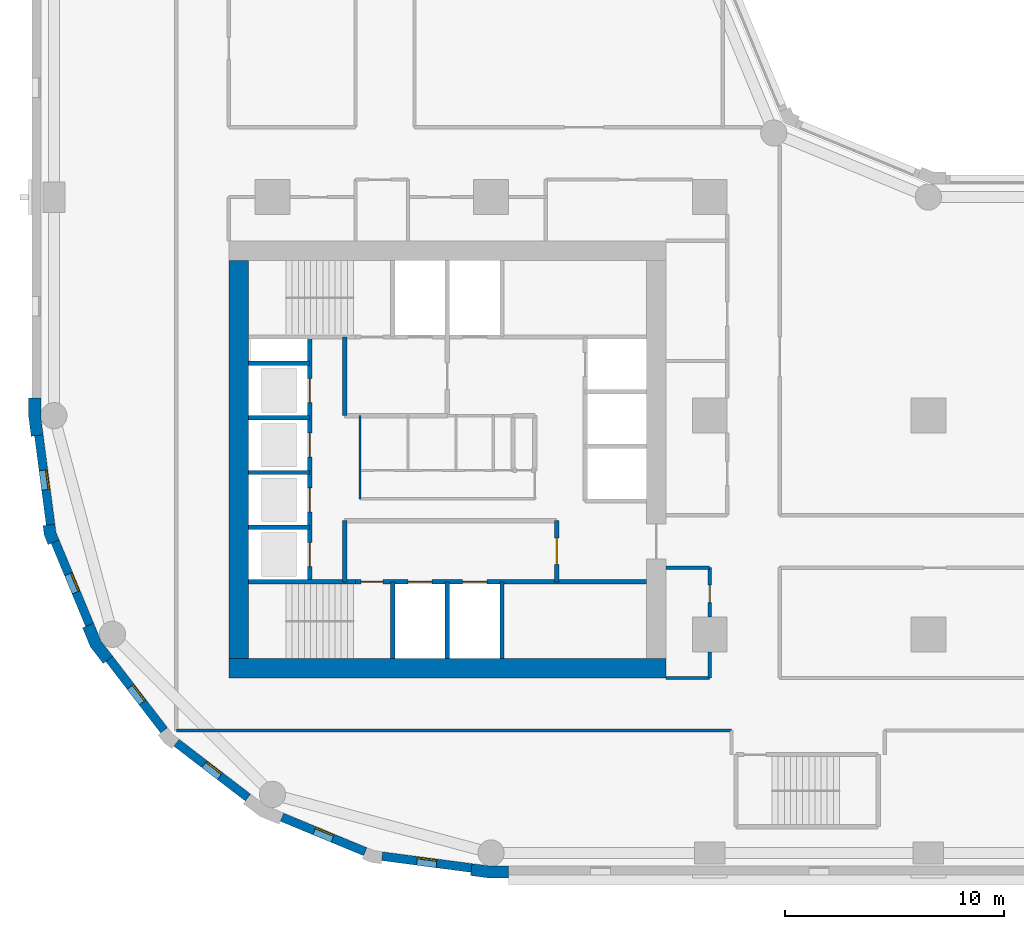
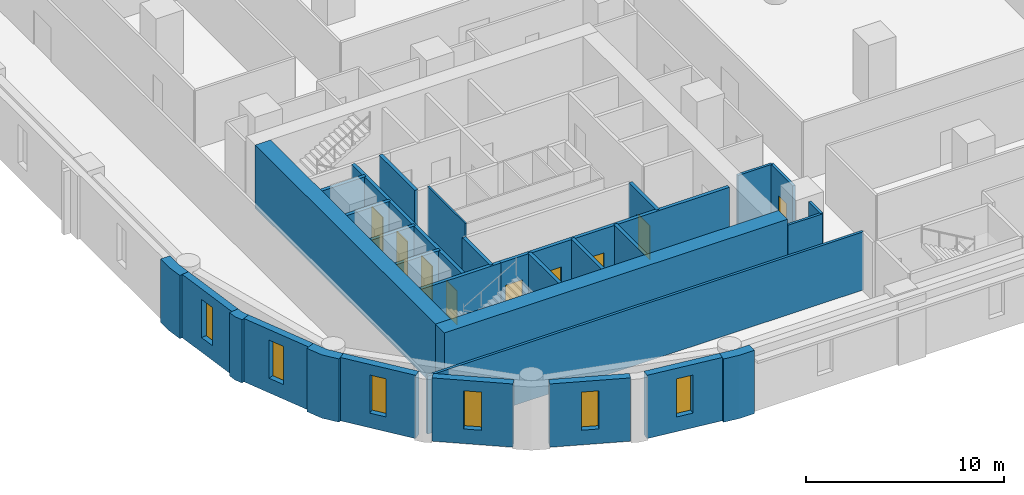
# One storey, part 2 of 10: 31 walls, 9 doors, 6 windows, 15 openings.
"""IFC4 building model written with IfcOpenShell, lengths in metres."""

from ifc_helpers import new_model, si_unit, direction, frame, frame_2d, origin, place, context, subcontext, project, spatial, polyline, rectangle, outline, extrude, material, layer, layer_set, type_object, element, fill, save


model = new_model("IFC4")

# Units and contexts
model_context = context("Model", 3, precision=1e-05, world=origin(), true_north=direction((0.0, 1.0)))
body_context = subcontext(model_context, "Body", "Model", "MODEL_VIEW")
ifc_project = project(units=[si_unit("LENGTHUNIT", "METRE"), si_unit("AREAUNIT", "SQUARE_METRE"), si_unit("VOLUMEUNIT", "CUBIC_METRE"), si_unit("PLANEANGLEUNIT", "RADIAN"), si_unit("MASSUNIT", "GRAM", prefix="KILO")], contexts=[model_context])

# Site, building, storey
site_placement = place(None, origin())
site = spatial("IfcSite", under=ifc_project, at=site_placement, CompositionType="ELEMENT")
building_placement = place(site_placement, origin())
building = spatial("IfcBuilding", under=site, at=building_placement, Name="Qaws Garden Tower", CompositionType="ELEMENT")
storey_placement = place(building_placement, frame((0.0, 0.0, 43.199951171875)))
storey = spatial("IfcBuildingStorey", under=building, at=storey_placement, Name="L10", CompositionType="ELEMENT", Elevation=43.199951171875)

# Wall, opening, window
ifc_material_1 = material(Name="Buff clay facing brick masonry", Category="masonry")
ifc_layer_1 = layer(ifc_material_1, 0.39990234375)
ifc_layer_set_1 = layer_set([ifc_layer_1], Name="Buff clay facing brick masonry")
wall_type_1 = type_object("IfcWallType", Name="Buff brick infill wall 400", PredefinedType="SOLIDWALL", material=ifc_layer_set_1)
wall_1_placement = place(storey_placement, frame((-0.688720703125, 19.102294921875, 0.0), z_axis=(0.0, 0.0, 1.0), x_axis=(0.130514280502, -0.991446429508, 0.0)))
wall_1 = element("IfcWall", 1, at=wall_1_placement, inside=storey, type_object=wall_type_1, Name="E-L10-infill-27", PredefinedType="SOLIDWALL", context=body_context, shape_type="SweptSolid", body=[
    extrude(rectangle(XDim=4.120849609375, YDim=0.39990234375, at=frame_2d((2.060546875, 0.0))), origin(), (0.0, 0.0, 1.0), 3.900146484375),
])
opening_1_placement = place(wall_1_placement, frame((1.610595703125, 0.0, 0.89990234375)))
opening_1 = element("IfcOpeningElement", 2, at=opening_1_placement, cuts=wall_1, Name="Opening W09", PredefinedType="OPENING", context=body_context, shape_type="SweptSolid", body=[
    extrude(rectangle(XDim=0.89990234375, YDim=2.35009765625, at=frame_2d((0.449951171875, 1.175048828125))), frame((0.0, 0.2099609375, 0.0), z_axis=(0.0, -1.0, 0.0), x_axis=(1.0, 0.0, 0.0)), (0.0, 0.0, 1.0), 0.419921875),
])
ifc_material_2 = material(Name="Aluminium framed window, clear glazing", Category="aluminium")
window_type = type_object("IfcWindowType", Name="Slit window 900 x 2350", PartitioningType="SINGLE_PANEL", PredefinedType="WINDOW", material=ifc_material_2)
window_1_placement = place(opening_1_placement, origin())
window_1 = element("IfcWindow", 3, at=window_1_placement, inside=storey, type_object=window_type, Name="E-L10-window-27-0", OverallHeight=2.35009765625, OverallWidth=0.89990234375, PartitioningType="SINGLE_PANEL", PredefinedType="WINDOW", context=body_context, shape_type="SweptSolid", body=[
    extrude(rectangle(XDim=0.89990234375, YDim=2.35009765625, at=frame_2d((0.449951171875, 1.175048828125))), frame((0.0, 0.159912109375, 0.0), z_axis=(0.0, -1.0, 0.0), x_axis=(1.0, 0.0, 0.0)), (0.0, 0.0, 1.0), 0.06005859375),
])
fill(opening_1, window_1)

wall_2_placement = place(storey_placement, frame((0.05712890625, 14.240234375, 0.0), z_axis=(0.0, 0.0, 1.0), x_axis=(0.382721546029, -0.923863744394, 0.0)))
wall_2 = element("IfcWall", 4, at=wall_2_placement, inside=storey, type_object=wall_type_1, Name="E-L10-infill-28", PredefinedType="SOLIDWALL", context=body_context, shape_type="SweptSolid", body=[
    extrude(rectangle(XDim=4.120849609375, YDim=0.39990234375, at=frame_2d((2.060546875, 0.0))), origin(), (0.0, 0.0, 1.0), 3.900146484375),
])
opening_2_placement = place(wall_2_placement, frame((1.610595703125, 0.0, 0.89990234375)))
opening_2 = element("IfcOpeningElement", 5, at=opening_2_placement, cuts=wall_2, Name="Opening W09", PredefinedType="OPENING", context=body_context, shape_type="SweptSolid", body=[
    extrude(rectangle(XDim=0.89990234375, YDim=2.35009765625, at=frame_2d((0.449951171875, 1.175048828125))), frame((0.0, 0.2099609375, 0.0), z_axis=(0.0, -1.0, 0.0), x_axis=(1.0, 0.0, 0.0)), (0.0, 0.0, 1.0), 0.419921875),
])
window_2_placement = place(opening_2_placement, origin())
window_2 = element("IfcWindow", 6, at=window_2_placement, inside=storey, type_object=window_type, Name="E-L10-window-28-0", OverallHeight=2.35009765625, OverallWidth=0.89990234375, PartitioningType="SINGLE_PANEL", PredefinedType="WINDOW", context=body_context, shape_type="SweptSolid", body=[
    extrude(rectangle(XDim=0.89990234375, YDim=2.35009765625, at=frame_2d((0.449951171875, 1.175048828125))), frame((0.0, 0.159912109375, 0.0), z_axis=(0.0, -1.0, 0.0), x_axis=(1.0, 0.0, 0.0)), (0.0, 0.0, 1.0), 0.06005859375),
])
fill(opening_2, window_2)

wall_3_placement = place(storey_placement, frame((2.53173828125, 8.87841796875, 0.0), z_axis=(0.0, 0.0, 1.0), x_axis=(0.608759824817, -0.793354571229, 0.0)))
wall_3 = element("IfcWall", 7, at=wall_3_placement, inside=storey, type_object=wall_type_1, Name="E-L10-infill-29", PredefinedType="SOLIDWALL", context=body_context, shape_type="SweptSolid", body=[
    extrude(rectangle(XDim=4.12109375, YDim=0.39990234375, at=frame_2d((2.060546875, 0.0))), origin(), (0.0, 0.0, 1.0), 3.900146484375),
])
opening_3_placement = place(wall_3_placement, frame((1.610595703125, 0.0, 0.89990234375)))
opening_3 = element("IfcOpeningElement", 8, at=opening_3_placement, cuts=wall_3, Name="Opening W09", PredefinedType="OPENING", context=body_context, shape_type="SweptSolid", body=[
    extrude(rectangle(XDim=0.89990234375, YDim=2.35009765625, at=frame_2d((0.449951171875, 1.175048828125))), frame((0.0, 0.2099609375, 0.0), z_axis=(0.0, -1.0, 0.0), x_axis=(1.0, 0.0, 0.0)), (0.0, 0.0, 1.0), 0.419921875),
])
window_3_placement = place(opening_3_placement, origin())
window_3 = element("IfcWindow", 9, at=window_3_placement, inside=storey, type_object=window_type, Name="E-L10-window-29-0", OverallHeight=2.35009765625, OverallWidth=0.89990234375, PartitioningType="SINGLE_PANEL", PredefinedType="WINDOW", context=body_context, shape_type="SweptSolid", body=[
    extrude(rectangle(XDim=0.89990234375, YDim=2.35009765625, at=frame_2d((0.449951171875, 1.175048828125))), frame((0.0, 0.159912109375, 0.0), z_axis=(0.0, -1.0, 0.0), x_axis=(1.0, 0.0, 0.0)), (0.0, 0.0, 1.0), 0.06005859375),
])
fill(opening_3, window_3)

wall_4_placement = place(storey_placement, frame((5.60888671875, 5.04052734375, 0.0), z_axis=(0.0, 0.0, 1.0), x_axis=(0.793354571229, -0.608759824817, 0.0)))
wall_4 = element("IfcWall", 10, at=wall_4_placement, inside=storey, type_object=wall_type_1, Name="E-L10-infill-30", PredefinedType="SOLIDWALL", context=body_context, shape_type="SweptSolid", body=[
    extrude(rectangle(XDim=4.12109375, YDim=0.39990234375, at=frame_2d((2.060546875, 0.0))), origin(), (0.0, 0.0, 1.0), 3.900146484375),
])
opening_4_placement = place(wall_4_placement, frame((1.610595703125, 0.0, 0.89990234375)))
opening_4 = element("IfcOpeningElement", 11, at=opening_4_placement, cuts=wall_4, Name="Opening W09", PredefinedType="OPENING", context=body_context, shape_type="SweptSolid", body=[
    extrude(rectangle(XDim=0.89990234375, YDim=2.35009765625, at=frame_2d((0.449951171875, 1.175048828125))), frame((0.0, 0.2099609375, 0.0), z_axis=(0.0, -1.0, 0.0), x_axis=(1.0, 0.0, 0.0)), (0.0, 0.0, 1.0), 0.419921875),
])
window_4_placement = place(opening_4_placement, origin())
window_4 = element("IfcWindow", 12, at=window_4_placement, inside=storey, type_object=window_type, Name="E-L10-window-30-0", OverallHeight=2.35009765625, OverallWidth=0.89990234375, PartitioningType="SINGLE_PANEL", PredefinedType="WINDOW", context=body_context, shape_type="SweptSolid", body=[
    extrude(rectangle(XDim=0.89990234375, YDim=2.35009765625, at=frame_2d((0.449951171875, 1.175048828125))), frame((0.0, 0.159912109375, 0.0), z_axis=(0.0, -1.0, 0.0), x_axis=(1.0, 0.0, 0.0)), (0.0, 0.0, 1.0), 0.06005859375),
])
fill(opening_4, window_4)

wall_5_placement = place(storey_placement, frame((10.43310546875, 1.63427734375, 0.0), z_axis=(0.0, 0.0, 1.0), x_axis=(0.923863744394, -0.382721546029, 0.0)))
wall_5 = element("IfcWall", 13, at=wall_5_placement, inside=storey, type_object=wall_type_1, Name="E-L10-infill-31", PredefinedType="SOLIDWALL", context=body_context, shape_type="SweptSolid", body=[
    extrude(rectangle(XDim=4.120849609375, YDim=0.39990234375, at=frame_2d((2.060546875, 0.0))), origin(), (0.0, 0.0, 1.0), 3.900146484375),
])
opening_5_placement = place(wall_5_placement, frame((1.610595703125, 0.0, 0.89990234375)))
opening_5 = element("IfcOpeningElement", 14, at=opening_5_placement, cuts=wall_5, Name="Opening W09", PredefinedType="OPENING", context=body_context, shape_type="SweptSolid", body=[
    extrude(rectangle(XDim=0.89990234375, YDim=2.35009765625, at=frame_2d((0.449951171875, 1.175048828125))), frame((0.0, 0.2099609375, 0.0), z_axis=(0.0, -1.0, 0.0), x_axis=(1.0, 0.0, 0.0)), (0.0, 0.0, 1.0), 0.419921875),
])
window_5_placement = place(opening_5_placement, origin())
window_5 = element("IfcWindow", 15, at=window_5_placement, inside=storey, type_object=window_type, Name="E-L10-window-31-0", OverallHeight=2.35009765625, OverallWidth=0.89990234375, PartitioningType="SINGLE_PANEL", PredefinedType="WINDOW", context=body_context, shape_type="SweptSolid", body=[
    extrude(rectangle(XDim=0.89990234375, YDim=2.35009765625, at=frame_2d((0.449951171875, 1.175048828125))), frame((0.0, 0.159912109375, 0.0), z_axis=(0.0, -1.0, 0.0), x_axis=(1.0, 0.0, 0.0)), (0.0, 0.0, 1.0), 0.06005859375),
])
fill(opening_5, window_5)

wall_6_placement = place(storey_placement, frame((15.0166015625, -0.15087890625, 0.0), z_axis=(0.0, 0.0, 1.0), x_axis=(0.991446429508, -0.130514280502, 0.0)))
wall_6 = element("IfcWall", 16, at=wall_6_placement, inside=storey, type_object=wall_type_1, Name="E-L10-infill-32", PredefinedType="SOLIDWALL", context=body_context, shape_type="SweptSolid", body=[
    extrude(rectangle(XDim=4.120849609375, YDim=0.39990234375, at=frame_2d((2.060546875, 0.0))), origin(), (0.0, 0.0, 1.0), 3.900146484375),
])
opening_6_placement = place(wall_6_placement, frame((1.610595703125, 0.0, 0.89990234375)))
opening_6 = element("IfcOpeningElement", 17, at=opening_6_placement, cuts=wall_6, Name="Opening W09", PredefinedType="OPENING", context=body_context, shape_type="SweptSolid", body=[
    extrude(rectangle(XDim=0.89990234375, YDim=2.35009765625, at=frame_2d((0.449951171875, 1.175048828125))), frame((0.0, 0.2099609375, 0.0), z_axis=(0.0, -1.0, 0.0), x_axis=(1.0, 0.0, 0.0)), (0.0, 0.0, 1.0), 0.419921875),
])
window_6_placement = place(opening_6_placement, origin())
window_6 = element("IfcWindow", 18, at=window_6_placement, inside=storey, type_object=window_type, Name="E-L10-window-32-0", OverallHeight=2.35009765625, OverallWidth=0.89990234375, PartitioningType="SINGLE_PANEL", PredefinedType="WINDOW", context=body_context, shape_type="SweptSolid", body=[
    extrude(rectangle(XDim=0.89990234375, YDim=2.35009765625, at=frame_2d((0.449951171875, 1.175048828125))), frame((0.0, 0.159912109375, 0.0), z_axis=(0.0, -1.0, 0.0), x_axis=(1.0, 0.0, 0.0)), (0.0, 0.0, 1.0), 0.06005859375),
])
fill(opening_6, window_6)

# Walls
ifc_material_3 = material(Name="Buff clay facing brick masonry", Category="masonry")
ifc_layer_2 = layer(ifc_material_3, 0.550048828125)
ifc_layer_set_2 = layer_set([ifc_layer_2], Name="Buff clay facing brick masonry")
wall_type_2 = type_object("IfcWallType", Name="Buff brick kink pier 550 x 600", PredefinedType="SOLIDWALL", material=ifc_layer_set_2)
placement = place(storey_placement, origin())
element("IfcWall", 19, at=placement, inside=storey, type_object=wall_type_2, Name="E-L10-pier-28", PredefinedType="SOLIDWALL", context=body_context, shape_type="SweptSolid", body=[
    extrude(outline(polyline([(-0.34912109375, 14.990478515625), (-0.497802734375, 14.970947265625), (-0.43896484375, 14.5234375), (-0.26611328125, 14.1064453125), (-0.127685546875, 14.163818359375), (0.241943359375, 14.31689453125), (0.096923828125, 14.6669921875), (0.04736328125, 15.042724609375), (-0.34912109375, 14.990478515625)])), origin(), (0.0, 0.0, 1.0), 3.900146484375),
])
ifc_material_4 = material(Name="Buff clay facing brick masonry", Category="masonry")
ifc_layer_3 = layer(ifc_material_4, 0.550048828125)
ifc_layer_set_3 = layer_set([ifc_layer_3], Name="Buff clay facing brick masonry")
wall_type_3 = type_object("IfcWallType", Name="Buff brick pier 550 x 1600", PredefinedType="SOLIDWALL", material=ifc_layer_set_3)
element("IfcWall", 20, at=placement, inside=storey, type_object=wall_type_3, Name="E-L10-pier-00", PredefinedType="SOLIDWALL", context=body_context, shape_type="SweptSolid", body=[
    extrude(outline(polyline([(19.076416015625, -0.886962890625), (19.056640625, -1.03564453125), (19.924560546875, -1.14990234375), (20.800048828125, -1.14990234375), (20.800048828125, -1.0), (20.800048828125, -0.60009765625), (19.960693359375, -0.60009765625), (19.12841796875, -0.490478515625), (19.076416015625, -0.886962890625)])), origin(), (0.0, 0.0, 1.0), 3.900146484375),
])
element("IfcWall", 21, at=placement, inside=storey, type_object=wall_type_3, Name="E-L10-pier-27", PredefinedType="SOLIDWALL", context=body_context, shape_type="SweptSolid", body=[
    extrude(outline(polyline([(-1.0, 20.800048828125), (-1.14990234375, 20.800048828125), (-1.14990234375, 19.924560546875), (-1.03564453125, 19.056640625), (-0.886962890625, 19.076416015625), (-0.490478515625, 19.12841796875), (-0.60009765625, 19.960693359375), (-0.60009765625, 20.800048828125), (-1.0, 20.800048828125)])), origin(), (0.0, 0.0, 1.0), 3.900146484375),
])
element("IfcWall", 22, at=placement, inside=storey, type_object=wall_type_3, Name="E-L10-pier-29", PredefinedType="SOLIDWALL", context=body_context, shape_type="SweptSolid", body=[
    extrude(outline(polyline([(1.449462890625, 10.3564453125), (1.310791015625, 10.299072265625), (1.675048828125, 9.419921875), (2.254150390625, 8.665283203125), (2.373046875, 8.756591796875), (2.6904296875, 9.0), (2.1552734375, 9.697509765625), (1.819091796875, 10.509521484375), (1.449462890625, 10.3564453125)])), origin(), (0.0, 0.0, 1.0), 3.900146484375),
])
ifc_material_5 = material(Name="Plasterboard")
ifc_layer_4 = layer(ifc_material_5, 0.10009765625)
ifc_layer_set_4 = layer_set([ifc_layer_4], Name="Plasterboard")
wall_type_4 = type_object("IfcWallType", Name="Core partition 100", PredefinedType="PARTITIONING", material=ifc_layer_set_4)
wall_11_placement = place(storey_placement, frame((14.0, 16.199951171875, 0.0), z_axis=(0.0, 0.0, 1.0), x_axis=(0.0, 1.0, 0.0)))
element("IfcWall", 23, at=wall_11_placement, inside=storey, type_object=wall_type_4, Name="Core partition", PredefinedType="PARTITIONING", context=body_context, shape_type="SweptSolid", body=[
    extrude(rectangle(XDim=3.800048828125, YDim=0.10009765625, at=frame_2d((1.89990234375, 0.0))), origin(), (0.0, 0.0, 1.0), 3.580078125),
])
ifc_material_6 = material(Name="Concrete C80", Category="concrete")
ifc_layer_5 = layer(ifc_material_6, 0.199951171875)
ifc_layer_set_5 = layer_set([ifc_layer_5], Name="Concrete C80")
wall_type_5 = type_object("IfcWallType", Name="Core shaft wall 200 C80", PredefinedType="SHEAR", material=ifc_layer_set_5)
wall_12_placement = place(storey_placement, frame((8.89990234375, 12.39990234375, 0.0), z_axis=(0.0, 0.0, 1.0), x_axis=(1.0, 0.0, 0.0)))
element("IfcWall", 24, at=wall_12_placement, inside=storey, type_object=wall_type_5, Name="Shaft wall", PredefinedType="SHEAR", context=body_context, shape_type="SweptSolid", body=[
    extrude(rectangle(XDim=4.900146484375, YDim=0.199951171875, at=frame_2d((2.4501953125, 0.0))), origin(), (0.0, 0.0, 1.0), 3.580078125),
])

# Wall, openings, doors
wall_13_placement = place(storey_placement, frame((13.800048828125, 12.39990234375, 0.0), z_axis=(0.0, 0.0, 1.0), x_axis=(1.0, 0.0, 0.0)))
wall_13 = element("IfcWall", 25, at=wall_13_placement, inside=storey, type_object=wall_type_5, Name="Shaft wall", PredefinedType="SHEAR", context=body_context, shape_type="SweptSolid", body=[
    extrude(rectangle(XDim=13.300048828125, YDim=0.199951171875, at=frame_2d((6.64990234375, 0.0))), origin(), (0.0, 0.0, 1.0), 3.580078125),
])
opening_7_placement = place(wall_13_placement, frame((2.39990234375, 0.0, 0.0)))
opening_7 = element("IfcOpeningElement", 26, at=opening_7_placement, cuts=wall_13, Name="Opening LD06", PredefinedType="OPENING", context=body_context, shape_type="SweptSolid", body=[
    extrude(rectangle(XDim=1.10009765625, YDim=2.10009765625, at=frame_2d((0.550048828125, 1.050048828125))), frame((0.0, 0.10986328125, 0.0), z_axis=(0.0, -1.0, 0.0), x_axis=(1.0, 0.0, 0.0)), (0.0, 0.0, 1.0), 0.219970703125),
])
opening_8_placement = place(wall_13_placement, frame((4.89990234375, 0.0, 0.0)))
opening_8 = element("IfcOpeningElement", 27, at=opening_8_placement, cuts=wall_13, Name="Opening LD07", PredefinedType="OPENING", context=body_context, shape_type="SweptSolid", body=[
    extrude(rectangle(XDim=1.10009765625, YDim=2.10009765625, at=frame_2d((0.550048828125, 1.050048828125))), frame((0.0, 0.10986328125, 0.0), z_axis=(0.0, -1.0, 0.0), x_axis=(1.0, 0.0, 0.0)), (0.0, 0.0, 1.0), 0.219970703125),
])
opening_9_placement = place(wall_13_placement, frame((0.25, 0.0, 0.0)))
opening_9 = element("IfcOpeningElement", 28, at=opening_9_placement, cuts=wall_13, Name="Opening SD10", PredefinedType="OPENING", context=body_context, shape_type="SweptSolid", body=[
    extrude(rectangle(XDim=1.0, YDim=2.10009765625, at=frame_2d((0.5, 1.050048828125))), frame((0.0, 0.10986328125, 0.0), z_axis=(0.0, -1.0, 0.0), x_axis=(1.0, 0.0, 0.0)), (0.0, 0.0, 1.0), 0.219970703125),
])
ifc_material_7 = material(Name="Steel S235", Category="steel")
door_type_1 = type_object("IfcDoorType", Name="Landing door 1100x2100", OperationType="DOUBLE_DOOR_SLIDING", PredefinedType="DOOR", material=ifc_material_7)
door_1_placement = place(opening_7_placement, origin())
door_1 = element("IfcDoor", 29, at=door_1_placement, inside=storey, type_object=door_type_1, Name="Lift FF1 landing door", OperationType="DOUBLE_DOOR_SLIDING", OverallHeight=2.10009765625, OverallWidth=1.10009765625, PredefinedType="DOOR", context=body_context, shape_type="SweptSolid", body=[
    extrude(rectangle(XDim=1.10009765625, YDim=2.10009765625, at=frame_2d((0.550048828125, 1.050048828125))), frame((0.0, 0.02490234375, 0.0), z_axis=(0.0, -1.0, 0.0), x_axis=(1.0, 0.0, 0.0)), (0.0, 0.0, 1.0), 0.050048828125),
])
fill(opening_7, door_1)
door_2_placement = place(opening_8_placement, origin())
door_2 = element("IfcDoor", 30, at=door_2_placement, inside=storey, type_object=door_type_1, Name="Lift FF2 landing door", OperationType="DOUBLE_DOOR_SLIDING", OverallHeight=2.10009765625, OverallWidth=1.10009765625, PredefinedType="DOOR", context=body_context, shape_type="SweptSolid", body=[
    extrude(rectangle(XDim=1.10009765625, YDim=2.10009765625, at=frame_2d((0.550048828125, 1.050048828125))), frame((0.0, 0.02490234375, 0.0), z_axis=(0.0, -1.0, 0.0), x_axis=(1.0, 0.0, 0.0)), (0.0, 0.0, 1.0), 0.050048828125),
])
fill(opening_8, door_2)
ifc_material_8 = material(Name="Steel S235", Category="steel")
door_type_2 = type_object("IfcDoorType", Name="Stair door 1000x2100", OperationType="SINGLE_SWING_RIGHT", PredefinedType="DOOR", material=ifc_material_8)
door_3_placement = place(opening_9_placement, frame((1.0, 0.0, 0.0), z_axis=(0.0, 0.0, 1.0), x_axis=(-1.0, 0.0, 0.0)))
door_3 = element("IfcDoor", 31, at=door_3_placement, inside=storey, type_object=door_type_2, Name="Stair 1 door", OperationType="SINGLE_SWING_LEFT", OverallHeight=2.10009765625, OverallWidth=1.0, PredefinedType="DOOR", context=body_context, shape_type="SweptSolid", body=[
    extrude(rectangle(XDim=1.0, YDim=2.10009765625, at=frame_2d((0.5, 1.050048828125))), frame((0.0, 0.02490234375, 0.0), z_axis=(0.0, -1.0, 0.0), x_axis=(1.0, 0.0, 0.0)), (0.0, 0.0, 1.0), 0.050048828125),
])
fill(opening_9, door_3)

# Walls
for number, where, z_axis, x_axis, name in (
    (32, (8.89990234375, 14.89990234375, 0.0), (0.0, 0.0, 1.0), (1.0, 0.0, 0.0), "Shaft wall"),
    (33, (8.89990234375, 17.39990234375, 0.0), (0.0, 0.0, 1.0), (1.0, 0.0, 0.0), "Shaft wall"),
    (34, (8.89990234375, 19.89990234375, 0.0), (0.0, 0.0, 1.0), (1.0, 0.0, 0.0), "Shaft wall"),
    (35, (8.89990234375, 22.39990234375, 0.0), (0.0, 0.0, 1.0), (1.0, 0.0, 0.0), "Shaft wall"),
):
    element("IfcWall", number, at=place(storey_placement, frame(where, z_axis=z_axis, x_axis=x_axis)), inside=storey, type_object=wall_type_5, Name=name, PredefinedType="SHEAR", context=body_context, shape_type="SweptSolid", body=[
        extrude(rectangle(XDim=2.800048828125, YDim=0.199951171875, at=frame_2d((1.39990234375, 0.0))), origin(), (0.0, 0.0, 1.0), 3.580078125),
    ])

# Wall, openings, doors
wall_14_placement = place(storey_placement, frame((11.699951171875, 12.39990234375, 0.0), z_axis=(0.0, 0.0, 1.0), x_axis=(0.0, 1.0, 0.0)))
wall_14 = element("IfcWall", 36, at=wall_14_placement, inside=storey, type_object=wall_type_5, Name="Shaft wall", PredefinedType="SHEAR", context=body_context, shape_type="SweptSolid", body=[
    extrude(rectangle(XDim=11.2001953125, YDim=0.199951171875, at=frame_2d((5.60009765625, 0.0))), origin(), (0.0, 0.0, 1.0), 3.580078125),
])
opening_10_placement = place(wall_14_placement, frame((0.699951171875, 0.0, 0.0)))
opening_10 = element("IfcOpeningElement", 37, at=opening_10_placement, cuts=wall_14, Name="Opening LD01", PredefinedType="OPENING", context=body_context, shape_type="SweptSolid", body=[
    extrude(rectangle(XDim=1.10009765625, YDim=2.10009765625, at=frame_2d((0.550048828125, 1.050048828125))), frame((0.0, 0.10986328125, 0.0), z_axis=(0.0, -1.0, 0.0), x_axis=(1.0, 0.0, 0.0)), (0.0, 0.0, 1.0), 0.219970703125),
])
opening_11_placement = place(wall_14_placement, frame((3.199951171875, 0.0, 0.0)))
opening_11 = element("IfcOpeningElement", 38, at=opening_11_placement, cuts=wall_14, Name="Opening LD02", PredefinedType="OPENING", context=body_context, shape_type="SweptSolid", body=[
    extrude(rectangle(XDim=1.10009765625, YDim=2.10009765625, at=frame_2d((0.550048828125, 1.050048828125))), frame((0.0, 0.10986328125, 0.0), z_axis=(0.0, -1.0, 0.0), x_axis=(1.0, 0.0, 0.0)), (0.0, 0.0, 1.0), 0.219970703125),
])
opening_12_placement = place(wall_14_placement, frame((5.699951171875, 0.0, 0.0)))
opening_12 = element("IfcOpeningElement", 39, at=opening_12_placement, cuts=wall_14, Name="Opening LD03", PredefinedType="OPENING", context=body_context, shape_type="SweptSolid", body=[
    extrude(rectangle(XDim=1.10009765625, YDim=2.10009765625, at=frame_2d((0.550048828125, 1.050048828125))), frame((0.0, 0.10986328125, 0.0), z_axis=(0.0, -1.0, 0.0), x_axis=(1.0, 0.0, 0.0)), (0.0, 0.0, 1.0), 0.219970703125),
])
opening_13_placement = place(wall_14_placement, frame((8.199951171875, 0.0, 0.0)))
opening_13 = element("IfcOpeningElement", 40, at=opening_13_placement, cuts=wall_14, Name="Opening LD04", PredefinedType="OPENING", context=body_context, shape_type="SweptSolid", body=[
    extrude(rectangle(XDim=1.10009765625, YDim=2.10009765625, at=frame_2d((0.550048828125, 1.050048828125))), frame((0.0, 0.10986328125, 0.0), z_axis=(0.0, -1.0, 0.0), x_axis=(1.0, 0.0, 0.0)), (0.0, 0.0, 1.0), 0.219970703125),
])
door_4_placement = place(opening_10_placement, origin())
door_4 = element("IfcDoor", 41, at=door_4_placement, inside=storey, type_object=door_type_1, Name="Lift W1 landing door", OperationType="DOUBLE_DOOR_SLIDING", OverallHeight=2.10009765625, OverallWidth=1.10009765625, PredefinedType="DOOR", context=body_context, shape_type="SweptSolid", body=[
    extrude(rectangle(XDim=1.10009765625, YDim=2.10009765625, at=frame_2d((0.550048828125, 1.050048828125))), frame((0.0, 0.02490234375, 0.0), z_axis=(0.0, -1.0, 0.0), x_axis=(1.0, 0.0, 0.0)), (0.0, 0.0, 1.0), 0.050048828125),
])
fill(opening_10, door_4)
door_5_placement = place(opening_11_placement, origin())
door_5 = element("IfcDoor", 42, at=door_5_placement, inside=storey, type_object=door_type_1, Name="Lift W2 landing door", OperationType="DOUBLE_DOOR_SLIDING", OverallHeight=2.10009765625, OverallWidth=1.10009765625, PredefinedType="DOOR", context=body_context, shape_type="SweptSolid", body=[
    extrude(rectangle(XDim=1.10009765625, YDim=2.10009765625, at=frame_2d((0.550048828125, 1.050048828125))), frame((0.0, 0.02490234375, 0.0), z_axis=(0.0, -1.0, 0.0), x_axis=(1.0, 0.0, 0.0)), (0.0, 0.0, 1.0), 0.050048828125),
])
fill(opening_11, door_5)
door_6_placement = place(opening_12_placement, origin())
door_6 = element("IfcDoor", 43, at=door_6_placement, inside=storey, type_object=door_type_1, Name="Lift W3 landing door", OperationType="DOUBLE_DOOR_SLIDING", OverallHeight=2.10009765625, OverallWidth=1.10009765625, PredefinedType="DOOR", context=body_context, shape_type="SweptSolid", body=[
    extrude(rectangle(XDim=1.10009765625, YDim=2.10009765625, at=frame_2d((0.550048828125, 1.050048828125))), frame((0.0, 0.02490234375, 0.0), z_axis=(0.0, -1.0, 0.0), x_axis=(1.0, 0.0, 0.0)), (0.0, 0.0, 1.0), 0.050048828125),
])
fill(opening_12, door_6)
door_7_placement = place(opening_13_placement, origin())
door_7 = element("IfcDoor", 44, at=door_7_placement, inside=storey, type_object=door_type_1, Name="Lift W4 landing door", OperationType="DOUBLE_DOOR_SLIDING", OverallHeight=2.10009765625, OverallWidth=1.10009765625, PredefinedType="DOOR", context=body_context, shape_type="SweptSolid", body=[
    extrude(rectangle(XDim=1.10009765625, YDim=2.10009765625, at=frame_2d((0.550048828125, 1.050048828125))), frame((0.0, 0.02490234375, 0.0), z_axis=(0.0, -1.0, 0.0), x_axis=(1.0, 0.0, 0.0)), (0.0, 0.0, 1.0), 0.050048828125),
])
fill(opening_13, door_7)

# Walls
wall_15_placement = place(storey_placement, frame((13.300048828125, 12.39990234375, 0.0), z_axis=(0.0, 0.0, 1.0), x_axis=(0.0, 1.0, 0.0)))
element("IfcWall", 45, at=wall_15_placement, inside=storey, type_object=wall_type_5, Name="Shaft wall", PredefinedType="SHEAR", context=body_context, shape_type="SweptSolid", body=[
    extrude(rectangle(XDim=2.800048828125, YDim=0.199951171875, at=frame_2d((1.39990234375, 0.0))), origin(), (0.0, 0.0, 1.0), 3.580078125),
])
wall_16_placement = place(storey_placement, frame((13.300048828125, 20.0, 0.0), z_axis=(0.0, 0.0, 1.0), x_axis=(0.0, 1.0, 0.0)))
element("IfcWall", 46, at=wall_16_placement, inside=storey, type_object=wall_type_5, Name="Shaft wall", PredefinedType="SHEAR", context=body_context, shape_type="SweptSolid", body=[
    extrude(rectangle(XDim=3.60009765625, YDim=0.199951171875, at=frame_2d((1.800048828125, 0.0))), origin(), (0.0, 0.0, 1.0), 3.580078125),
])
for number, where, z_axis, x_axis, name in (
    (47, (15.5, 8.89990234375, 0.0), (0.0, 0.0, 1.0), (0.0, 1.0, 0.0), "Shaft wall"),
    (48, (18.0, 8.89990234375, 0.0), (0.0, 0.0, 1.0), (0.0, 1.0, 0.0), "Shaft wall"),
    (49, (20.5, 8.89990234375, 0.0), (0.0, 0.0, 1.0), (0.0, 1.0, 0.0), "Shaft wall"),
):
    element("IfcWall", number, at=place(storey_placement, frame(where, z_axis=z_axis, x_axis=x_axis)), inside=storey, type_object=wall_type_5, Name=name, PredefinedType="SHEAR", context=body_context, shape_type="SweptSolid", body=[
        extrude(rectangle(XDim=3.5, YDim=0.199951171875, at=frame_2d((1.75, 0.0))), origin(), (0.0, 0.0, 1.0), 3.580078125),
    ])

# Wall, opening, door
wall_17_placement = place(storey_placement, frame((23.0, 12.39990234375, 0.0), z_axis=(0.0, 0.0, 1.0), x_axis=(0.0, 1.0, 0.0)))
wall_17 = element("IfcWall", 50, at=wall_17_placement, inside=storey, type_object=wall_type_5, Name="Shaft wall", PredefinedType="SHEAR", context=body_context, shape_type="SweptSolid", body=[
    extrude(rectangle(XDim=2.800048828125, YDim=0.199951171875, at=frame_2d((1.39990234375, 0.0))), origin(), (0.0, 0.0, 1.0), 3.580078125),
])
opening_14_placement = place(wall_17_placement, frame((0.800048828125, 0.0, 0.0)))
opening_14 = element("IfcOpeningElement", 51, at=opening_14_placement, cuts=wall_17, Name="Opening FD15", PredefinedType="OPENING", context=body_context, shape_type="SweptSolid", body=[
    extrude(rectangle(XDim=1.199951171875, YDim=2.10009765625, at=frame_2d((0.60009765625, 1.050048828125))), frame((0.0, 0.10986328125, 0.0), z_axis=(0.0, -1.0, 0.0), x_axis=(1.0, 0.0, 0.0)), (0.0, 0.0, 1.0), 0.219970703125),
])
ifc_material_9 = material(Name="Steel S235", Category="steel")
door_type_3 = type_object("IfcDoorType", Name="Lobby door 1200x2100", OperationType="DOUBLE_DOOR_SINGLE_SWING", PredefinedType="DOOR", material=ifc_material_9)
door_8_placement = place(opening_14_placement, origin())
door_8 = element("IfcDoor", 52, at=door_8_placement, inside=storey, type_object=door_type_3, Name="Fire-fighting lobby door", OperationType="DOUBLE_DOOR_SINGLE_SWING", OverallHeight=2.10009765625, OverallWidth=1.199951171875, PredefinedType="DOOR", context=body_context, shape_type="SweptSolid", body=[
    extrude(rectangle(XDim=1.199951171875, YDim=2.10009765625, at=frame_2d((0.60009765625, 1.050048828125))), frame((0.0, 0.02490234375, 0.0), z_axis=(0.0, -1.0, 0.0), x_axis=(1.0, 0.0, 0.0)), (0.0, 0.0, 1.0), 0.050048828125),
])
fill(opening_14, door_8)

# Walls
ifc_material_10 = material(Name="Concrete C80", Category="concrete")
ifc_layer_6 = layer(ifc_material_10, 0.89990234375)
ifc_layer_set_6 = layer_set([ifc_layer_6], Name="Concrete C80")
wall_type_6 = type_object("IfcWallType", Name="Core wall 900 C80", PredefinedType="SHEAR", material=ifc_layer_set_6)
wall_18_placement = place(storey_placement, frame((8.0, 8.449951171875, 0.0), z_axis=(0.0, 0.0, 1.0), x_axis=(1.0, 0.0, 0.0)))
element("IfcWall", 53, at=wall_18_placement, inside=storey, type_object=wall_type_6, Name="Core wall L10 south", PredefinedType="SHEAR", context=body_context, shape_type="SweptSolid", body=[
    extrude(rectangle(XDim=20.0, YDim=0.89990234375, at=frame_2d((10.0, 0.0))), origin(), (0.0, 0.0, 1.0), 3.900146484375),
])
wall_19_placement = place(storey_placement, frame((8.449951171875, 27.10009765625, 0.0), z_axis=(0.0, 0.0, 1.0), x_axis=(0.0, -1.0, 0.0)))
element("IfcWall", 54, at=wall_19_placement, inside=storey, type_object=wall_type_6, Name="Core wall L10 west", PredefinedType="SHEAR", context=body_context, shape_type="SweptSolid", body=[
    extrude(rectangle(XDim=18.2001953125, YDim=0.89990234375, at=frame_2d((9.10009765625, 0.0))), origin(), (0.0, 0.0, 1.0), 3.900146484375),
])
ifc_material_11 = material(Name="Gypsum board partition")
ifc_layer_7 = layer(ifc_material_11, 0.14990234375)
ifc_layer_set_7 = layer_set([ifc_layer_7], Name="Gypsum board partition")
wall_type_7 = type_object("IfcWallType", Name="PARTITION 150 EI 60", PredefinedType="PARTITIONING", material=ifc_layer_set_7)
wall_20_placement = place(storey_placement, frame((30.0, 8.0, 0.0), z_axis=(0.0, 0.0, 1.0), x_axis=(0.0, 1.0, 0.0)))
element("IfcWall", 55, at=wall_20_placement, inside=storey, type_object=wall_type_7, Name="O-L10-wall-013", PredefinedType="PARTITIONING", context=body_context, shape_type="SweptSolid", body=[
    extrude(rectangle(XDim=1.199951171875, YDim=0.14990234375, at=frame_2d((0.60009765625, 0.0))), origin(), (0.0, 0.0, 1.0), 3.580078125),
])

# Wall, opening, door
wall_21_placement = place(storey_placement, frame((30.0, 10.800048828125, 0.0), z_axis=(0.0, 0.0, 1.0), x_axis=(0.0, 1.0, 0.0)))
wall_21 = element("IfcWall", 56, at=wall_21_placement, inside=storey, type_object=wall_type_7, Name="O-L10-wall-014", PredefinedType="PARTITIONING", context=body_context, shape_type="SweptSolid", body=[
    extrude(rectangle(XDim=2.25, YDim=0.14990234375, at=frame_2d((1.125, 0.0))), origin(), (0.0, 0.0, 1.0), 3.580078125),
])
opening_15_placement = place(wall_21_placement, frame((0.64990234375, 0.0, 0.0)))
opening_15 = element("IfcOpeningElement", 57, at=opening_15_placement, cuts=wall_21, Name="Opening A317", PredefinedType="OPENING", context=body_context, shape_type="SweptSolid", body=[
    extrude(rectangle(XDim=0.800048828125, YDim=2.10009765625, at=frame_2d((0.39990234375, 1.050048828125))), frame((0.0, 0.0849609375, 0.0), z_axis=(0.0, -1.0, 0.0), x_axis=(1.0, 0.0, 0.0)), (0.0, 0.0, 1.0), 0.169921875),
])
ifc_material_12 = material(Name="Timber door leaf", Category="wood")
door_type_4 = type_object("IfcDoorType", Name="STORE DOOR 800 X 2100", OperationType="SINGLE_SWING_LEFT", PredefinedType="DOOR", material=ifc_material_12)
door_9_placement = place(opening_15_placement, origin())
door_9 = element("IfcDoor", 58, at=door_9_placement, inside=storey, type_object=door_type_4, Name="O-L10-door-017", OperationType="SINGLE_SWING_LEFT", OverallHeight=2.10009765625, OverallWidth=0.800048828125, PredefinedType="DOOR", context=body_context, shape_type="SweptSolid", body=[
    extrude(rectangle(XDim=0.800048828125, YDim=2.10009765625, at=frame_2d((0.39990234375, 1.050048828125))), frame((0.0, 0.02490234375, 0.0), z_axis=(0.0, -1.0, 0.0), x_axis=(1.0, 0.0, 0.0)), (0.0, 0.0, 1.0), 0.050048828125),
])
fill(opening_15, door_9)

# Walls
wall_22_placement = place(storey_placement, frame((5.60009765625, 5.60009765625, 0.0), z_axis=(0.0, 0.0, 1.0), x_axis=(1.0, 0.0, 0.0)))
element("IfcWall", 59, at=wall_22_placement, inside=storey, type_object=wall_type_7, Name="O-L10-wall-031", PredefinedType="PARTITIONING", context=body_context, shape_type="SweptSolid", body=[
    extrude(rectangle(XDim=25.39990234375, YDim=0.14990234375, at=frame_2d((12.699951171875, 0.0))), origin(), (0.0, 0.0, 1.0), 3.580078125),
])
for number, where, z_axis, x_axis, name in (
    (60, (28.0, 8.0, 0.0), (0.0, 0.0, 1.0), (1.0, 0.0, 0.0), "O-L10-wall-033"),
    (61, (28.0, 13.050048828125, 0.0), (0.0, 0.0, 1.0), (1.0, 0.0, 0.0), "O-L10-wall-035"),
):
    element("IfcWall", number, at=place(storey_placement, frame(where, z_axis=z_axis, x_axis=x_axis)), inside=storey, type_object=wall_type_7, Name=name, PredefinedType="PARTITIONING", context=body_context, shape_type="SweptSolid", body=[
        extrude(rectangle(XDim=2.0, YDim=0.14990234375, at=frame_2d((1.0, 0.0))), origin(), (0.0, 0.0, 1.0), 3.580078125),
    ])

save(model, "model.ifc")
